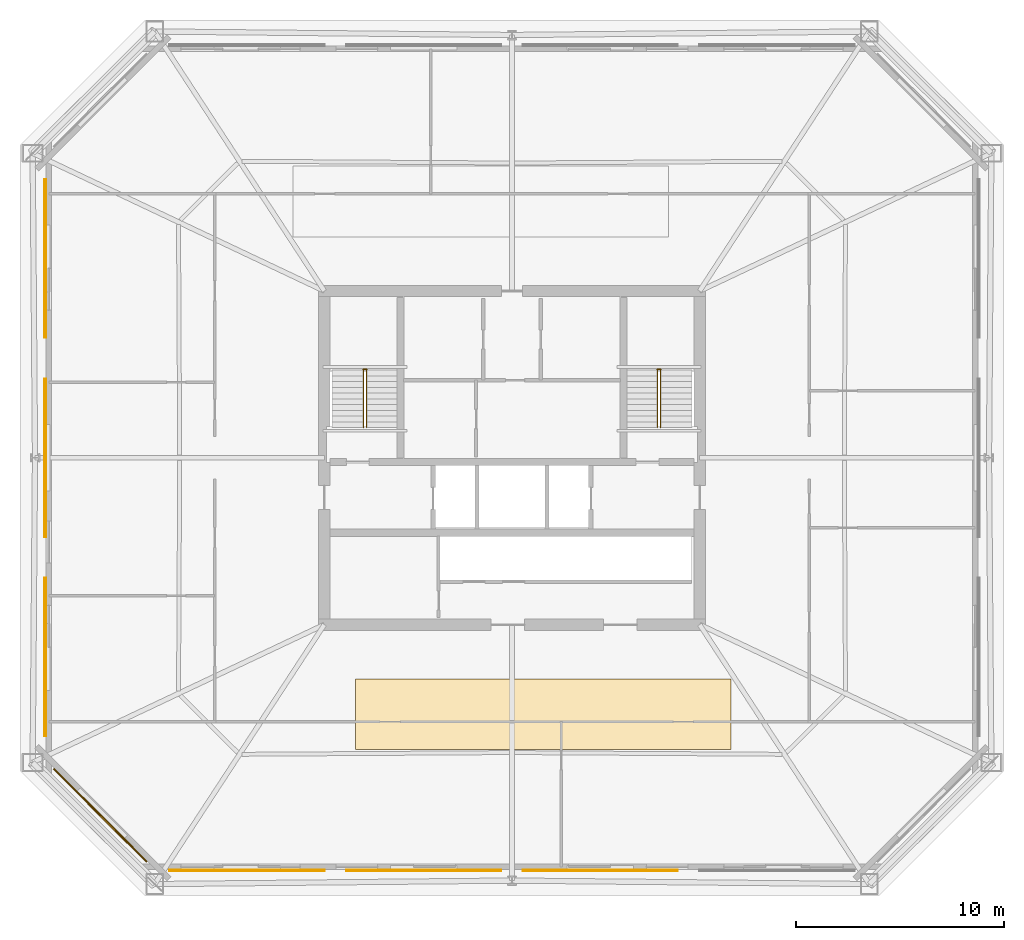
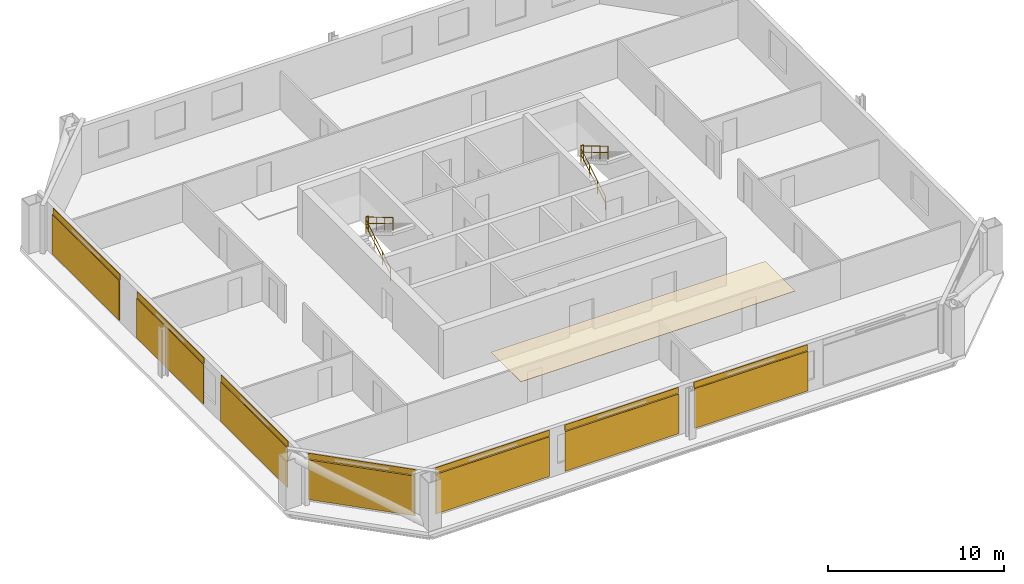
# One storey, part 5 of 6: 8 coverings, 7 shading devices, 6 railings.
"""IFC4 building model written with IfcOpenShell, lengths in metres."""

from ifc_helpers import new_model, si_unit, direction, frame, origin, origin_2d, place, context, subcontext, project, spatial, polyline, rectangle, circle, outline, extrude, material, layer, layer_set, type_object, element, save


model = new_model("IFC4")

# Units and contexts
model_context = context("Model", 3, precision=1e-05, world=origin(), true_north=direction((0.0, 1.0)))
body_context = subcontext(model_context, "Body", "Model", "MODEL_VIEW")
ifc_project = project(units=[si_unit("LENGTHUNIT", "METRE"), si_unit("AREAUNIT", "SQUARE_METRE"), si_unit("VOLUMEUNIT", "CUBIC_METRE"), si_unit("PLANEANGLEUNIT", "RADIAN"), si_unit("MASSUNIT", "GRAM", prefix="KILO")], contexts=[model_context])

# Site, building, storey
site_placement = place(None, origin())
site = spatial("IfcSite", under=ifc_project, at=site_placement, CompositionType="ELEMENT")
building_placement = place(site_placement, origin())
building = spatial("IfcBuilding", under=site, at=building_placement, Name="Caelvoria Tower", CompositionType="ELEMENT")
storey_placement = place(building_placement, frame((0.0, 0.0, 120.39990234375)))
storey = spatial("IfcBuildingStorey", under=building, at=storey_placement, Name="L31", CompositionType="ELEMENT", Elevation=120.39990234375)

# Coverings
ifc_material_1 = material(Name="Acoustic Mineral Fibre Tile", Category="gypsum")
ifc_layer_1 = layer(ifc_material_1, 0.02490234375, Name="Acoustic Mineral Fibre Tile")
ifc_layer_set_1 = layer_set([ifc_layer_1], Name="Mineral-Fibre Acoustic Suspended Ceiling 25 - Acoustic Mineral Fibre Tile")
covering_type_1 = type_object("IfcCoveringType", Name="Mineral-Fibre Acoustic Suspended Ceiling 25", PredefinedType="CEILING", material=ifc_layer_set_1)
covering_1_placement = place(storey_placement, frame((0.0, 0.0, 2.635009765625)))
element("IfcCovering", 1, at=covering_1_placement, inside=storey, type_object=covering_type_1, Name="Suspended Acoustic Ceiling L31", PredefinedType="CEILING", context=body_context, shape_type="SweptSolid", body=[
    extrude(outline(polyline([(38.5, 18.0), (56.5, 18.0), (56.5, 21.39990234375), (38.5, 21.39990234375), (38.5, 18.0)])), origin(), (0.0, 0.0, 1.0), 0.025146484375),
])
ifc_material_2 = material(Name="Perforated Architectural Bronze Cladding Screen", Category="bronze")
ifc_layer_2 = layer(ifc_material_2, 0.0400390625, Name="Perforated Architectural Bronze Cladding Screen")
ifc_layer_set_2 = layer_set([ifc_layer_2], Name="Perforated Bronze Louvre Cladding Band 40 - Perforated Architectural Bronze Cladding Screen")
covering_type_2 = type_object("IfcCoveringType", Name="Perforated Bronze Louvre Cladding Band 40", PredefinedType="CLADDING", material=ifc_layer_set_2)
for number, where, z_axis, x_axis, name in (
    (2, (33.294921875, 12.22802734375, 2.940185546875), (0.0, 0.0, 1.0), (1.0, 0.0, 0.0), "Perforated Bronze Screen Band L31-E0-00"),
    (3, (41.764892578125, 12.22802734375, 2.940185546875), (0.0, 0.0, 1.0), (1.0, 0.0, 0.0), "Perforated Bronze Screen Band L31-E0-01"),
    (4, (50.235107421875, 12.22802734375, 2.940185546875), (0.0, 0.0, 1.0), (1.0, 0.0, 0.0), "Perforated Bronze Screen Band L31-E0-02"),
):
    element("IfcCovering", number, at=place(storey_placement, frame(where, z_axis=z_axis, x_axis=x_axis)), inside=storey, type_object=covering_type_2, Name=name, PredefinedType="CLADDING", context=body_context, shape_type="SweptSolid", body=[
        extrude(rectangle(XDim=7.45361328125, YDim=0.0400390625, at=origin_2d()), origin(), (0.0, 0.0, 1.0), 0.39990234375),
    ])
for number, where, z_axis, x_axis, name in (
    (5, (23.6279296875, 41.56005859375, 2.940185546875), (0.0, 0.0, 1.0), (0.0, -1.0, 0.0), "Perforated Bronze Screen Band L31-E6-00"),
    (6, (23.6279296875, 32.0, 2.940185546875), (0.0, 0.0, 1.0), (0.0, -1.0, 0.0), "Perforated Bronze Screen Band L31-E6-01"),
    (7, (23.6279296875, 22.43994140625, 2.940185546875), (0.0, 0.0, 1.0), (0.0, -1.0, 0.0), "Perforated Bronze Screen Band L31-E6-02"),
):
    element("IfcCovering", number, at=place(storey_placement, frame(where, z_axis=z_axis, x_axis=x_axis)), inside=storey, type_object=covering_type_2, Name=name, PredefinedType="CLADDING", context=body_context, shape_type="SweptSolid", body=[
        extrude(rectangle(XDim=7.60009765625, YDim=0.0400390625, at=origin_2d()), origin(), (0.0, 0.0, 1.0), 0.39990234375),
    ])
covering_2_placement = place(storey_placement, frame((26.268310546875, 14.868408203125, 2.940185546875), z_axis=(0.0, 0.0, 1.0), x_axis=(0.707106781187, -0.707106781187, 0.0)))
element("IfcCovering", 8, at=covering_2_placement, inside=storey, type_object=covering_type_2, Name="Perforated Bronze Screen Band L31-E7-00", PredefinedType="CLADDING", context=body_context, shape_type="SweptSolid", body=[
    extrude(rectangle(XDim=6.305419921875, YDim=0.0400390625, at=origin_2d()), origin(), (0.0, 0.0, 1.0), 0.39990234375),
])

# Shading devices
ifc_material_3 = material(Name="Perforated Architectural Bronze Alloy Panel", Category="bronze")
ifc_layer_3 = layer(ifc_material_3, 0.044921875, Name="Perforated Architectural Bronze Alloy Panel")
ifc_layer_set_3 = layer_set([ifc_layer_3], Name="Perforated Bronze Solar Screen Panel SCREEN - Perforated Architectural Bronze Alloy Panel")
shading_device_type = type_object("IfcShadingDeviceType", Name="Perforated Bronze Solar Screen Panel SCREEN", PredefinedType="USERDEFINED", material=ifc_layer_set_3)
for number, where, z_axis, x_axis, name in (
    (9, (33.294921875, 12.18505859375, 0.16015625), (0.0, 0.0, 1.0), (1.0, 0.0, 0.0), "Perforated Bronze Solar Screen L31-E0-00"),
    (10, (41.764892578125, 12.18505859375, 0.16015625), (0.0, 0.0, 1.0), (1.0, 0.0, 0.0), "Perforated Bronze Solar Screen L31-E0-01"),
    (11, (50.235107421875, 12.18505859375, 0.16015625), (0.0, 0.0, 1.0), (1.0, 0.0, 0.0), "Perforated Bronze Solar Screen L31-E0-02"),
):
    element("IfcShadingDevice", number, at=place(storey_placement, frame(where, z_axis=z_axis, x_axis=x_axis)), inside=storey, type_object=shading_device_type, Name=name, ObjectType="SCREEN", PredefinedType="USERDEFINED", context=body_context, shape_type="SweptSolid", body=[
        extrude(rectangle(XDim=7.45361328125, YDim=0.044921875, at=origin_2d()), origin(), (0.0, 0.0, 1.0), 2.75),
    ])
for number, where, z_axis, x_axis, name in (
    (12, (23.5849609375, 41.56005859375, 0.16015625), (0.0, 0.0, 1.0), (0.0, -1.0, 0.0), "Perforated Bronze Solar Screen L31-E6-00"),
    (13, (23.5849609375, 32.0, 0.16015625), (0.0, 0.0, 1.0), (0.0, -1.0, 0.0), "Perforated Bronze Solar Screen L31-E6-01"),
    (14, (23.5849609375, 22.43994140625, 0.16015625), (0.0, 0.0, 1.0), (0.0, -1.0, 0.0), "Perforated Bronze Solar Screen L31-E6-02"),
):
    element("IfcShadingDevice", number, at=place(storey_placement, frame(where, z_axis=z_axis, x_axis=x_axis)), inside=storey, type_object=shading_device_type, Name=name, ObjectType="SCREEN", PredefinedType="USERDEFINED", context=body_context, shape_type="SweptSolid", body=[
        extrude(rectangle(XDim=7.60009765625, YDim=0.044921875, at=origin_2d()), origin(), (0.0, 0.0, 1.0), 2.75),
    ])
shading_device_placement = place(storey_placement, frame((26.23779296875, 14.837890625, 0.16015625), z_axis=(0.0, 0.0, 1.0), x_axis=(0.707106781187, -0.707106781187, 0.0)))
element("IfcShadingDevice", 15, at=shading_device_placement, inside=storey, type_object=shading_device_type, Name="Perforated Bronze Solar Screen L31-E7-00", ObjectType="SCREEN", PredefinedType="USERDEFINED", context=body_context, shape_type="SweptSolid", body=[
    extrude(rectangle(XDim=6.305419921875, YDim=0.044921875, at=origin_2d()), origin(), (0.0, 0.0, 1.0), 2.75),
])

# Railings
ifc_material_4 = material(Name="Brushed Stainless Steel Tube", Category="steel")
railing_type_1 = type_object("IfcRailingType", Name="Stair Tubular Stainless Handrail 920", PredefinedType="HANDRAIL", material=ifc_material_4)
railing_1_placement = place(storey_placement, frame((38.8701171875, 33.449951171875, 0.163818359375)))
element("IfcRailing", 16, at=railing_1_placement, inside=storey, type_object=railing_type_1, Name="ST-01 Flight 1 Handrail L31", PredefinedType="HANDRAIL", context=body_context, shape_type="SweptSolid", body=[
    extrude(circle(Radius=0.02392578125, at=origin_2d()), frame((0.0, 0.0, 0.89599609375), z_axis=(0.0, 0.859385484447, 0.511328259656), x_axis=(-1.0, 0.0, 0.0)), (0.0, 0.0, 1.0), 3.199951171875),
    extrude(circle(Radius=0.02392578125, at=origin_2d()), frame((0.0, 0.0, 0.4599609375), z_axis=(0.0, 0.859385484447, 0.511328259656), x_axis=(-1.0, 0.0, 0.0)), (0.0, 0.0, 1.0), 3.199951171875),
    extrude(circle(Radius=0.02099609375, at=origin_2d()), origin(), (0.0, 0.0, 1.0), 0.871826171875),
    extrude(circle(Radius=0.02099609375, at=origin_2d()), frame((0.0, 0.916748046875, 0.54541015625)), (0.0, 0.0, 1.0), 0.871826171875),
    extrude(circle(Radius=0.02099609375, at=origin_2d()), frame((0.0, 1.833251953125, 1.0908203125)), (0.0, 0.0, 1.0), 0.871826171875),
    extrude(circle(Radius=0.02099609375, at=origin_2d()), frame((0.0, 2.75, 1.63623046875)), (0.0, 0.0, 1.0), 0.871826171875),
])
railing_2_placement = place(storey_placement, frame((39.030029296875, 36.199951171875, 1.963623046875)))
element("IfcRailing", 17, at=railing_2_placement, inside=storey, type_object=railing_type_1, Name="ST-01 Flight 2 Handrail L31", PredefinedType="HANDRAIL", context=body_context, shape_type="SweptSolid", body=[
    extrude(circle(Radius=0.02392578125, at=origin_2d()), frame((0.0, 0.0, 0.89599609375), z_axis=(0.0, -0.859351957796, 0.511384603436), x_axis=(1.0, 0.0, 0.0)), (0.0, 0.0, 1.0), 3.2001953125),
    extrude(circle(Radius=0.02392578125, at=origin_2d()), frame((0.0, 0.0, 0.4599609375), z_axis=(0.0, -0.859351957796, 0.511384603436), x_axis=(1.0, 0.0, 0.0)), (0.0, 0.0, 1.0), 3.2001953125),
    extrude(circle(Radius=0.02099609375, at=origin_2d()), origin(), (0.0, 0.0, 1.0), 0.871826171875),
    extrude(circle(Radius=0.02099609375, at=origin_2d()), frame((0.0, -0.916748046875, 0.54541015625)), (0.0, 0.0, 1.0), 0.871826171875),
    extrude(circle(Radius=0.02099609375, at=origin_2d()), frame((0.0, -1.833251953125, 1.091064453125)), (0.0, 0.0, 1.0), 0.871826171875),
    extrude(circle(Radius=0.02099609375, at=origin_2d()), frame((0.0, -2.75, 1.636474609375)), (0.0, 0.0, 1.0), 0.871826171875),
])
railing_3_placement = place(storey_placement, frame((52.969970703125, 33.449951171875, 0.163818359375)))
element("IfcRailing", 18, at=railing_3_placement, inside=storey, type_object=railing_type_1, Name="ST-02 Flight 1 Handrail L31", PredefinedType="HANDRAIL", context=body_context, shape_type="SweptSolid", body=[
    extrude(circle(Radius=0.02392578125, at=origin_2d()), frame((0.0, 0.0, 0.89599609375), z_axis=(0.0, 0.859385484447, 0.511328259656), x_axis=(-1.0, 0.0, 0.0)), (0.0, 0.0, 1.0), 3.199951171875),
    extrude(circle(Radius=0.02392578125, at=origin_2d()), frame((0.0, 0.0, 0.4599609375), z_axis=(0.0, 0.859385484447, 0.511328259656), x_axis=(-1.0, 0.0, 0.0)), (0.0, 0.0, 1.0), 3.199951171875),
    extrude(circle(Radius=0.02099609375, at=origin_2d()), origin(), (0.0, 0.0, 1.0), 0.871826171875),
    extrude(circle(Radius=0.02099609375, at=origin_2d()), frame((0.0, 0.916748046875, 0.54541015625)), (0.0, 0.0, 1.0), 0.871826171875),
    extrude(circle(Radius=0.02099609375, at=origin_2d()), frame((0.0, 1.833251953125, 1.0908203125)), (0.0, 0.0, 1.0), 0.871826171875),
    extrude(circle(Radius=0.02099609375, at=origin_2d()), frame((0.0, 2.75, 1.63623046875)), (0.0, 0.0, 1.0), 0.871826171875),
])
railing_4_placement = place(storey_placement, frame((53.1298828125, 36.199951171875, 1.963623046875)))
element("IfcRailing", 19, at=railing_4_placement, inside=storey, type_object=railing_type_1, Name="ST-02 Flight 2 Handrail L31", PredefinedType="HANDRAIL", context=body_context, shape_type="SweptSolid", body=[
    extrude(circle(Radius=0.02392578125, at=origin_2d()), frame((0.0, 0.0, 0.89599609375), z_axis=(0.0, -0.859351957796, 0.511384603436), x_axis=(1.0, 0.0, 0.0)), (0.0, 0.0, 1.0), 3.2001953125),
    extrude(circle(Radius=0.02392578125, at=origin_2d()), frame((0.0, 0.0, 0.4599609375), z_axis=(0.0, -0.859351957796, 0.511384603436), x_axis=(1.0, 0.0, 0.0)), (0.0, 0.0, 1.0), 3.2001953125),
    extrude(circle(Radius=0.02099609375, at=origin_2d()), origin(), (0.0, 0.0, 1.0), 0.871826171875),
    extrude(circle(Radius=0.02099609375, at=origin_2d()), frame((0.0, -0.916748046875, 0.54541015625)), (0.0, 0.0, 1.0), 0.871826171875),
    extrude(circle(Radius=0.02099609375, at=origin_2d()), frame((0.0, -1.833251953125, 1.091064453125)), (0.0, 0.0, 1.0), 0.871826171875),
    extrude(circle(Radius=0.02099609375, at=origin_2d()), frame((0.0, -2.75, 1.636474609375)), (0.0, 0.0, 1.0), 0.871826171875),
])
ifc_material_5 = material(Name="Brushed Stainless Steel Guardrail", Category="steel")
railing_type_2 = type_object("IfcRailingType", Name="Stair Well and Ramp Guardrail 1120", PredefinedType="GUARDRAIL", material=ifc_material_5)
for number, where, name in (
    (20, (38.8701171875, 36.239990234375, 1.800048828125), "ST-01 Half-Landing Well Guard L31"),
    (21, (52.969970703125, 36.239990234375, 1.800048828125), "ST-02 Half-Landing Well Guard L31"),
):
    element("IfcRailing", number, at=place(storey_placement, frame(where)), inside=storey, type_object=railing_type_2, Name=name, PredefinedType="GUARDRAIL", context=body_context, shape_type="SweptSolid", body=[
        extrude(circle(Radius=0.02392578125, at=origin_2d()), frame((0.0, 0.0, 1.09619140625), z_axis=(1.0, 0.0, 0.0), x_axis=(0.0, 1.0, 0.0)), (0.0, 0.0, 1.0), 0.159912109375),
        extrude(circle(Radius=0.02392578125, at=origin_2d()), frame((0.0, 0.0, 0.56005859375), z_axis=(1.0, 0.0, 0.0), x_axis=(0.0, 1.0, 0.0)), (0.0, 0.0, 1.0), 0.159912109375),
        extrude(circle(Radius=0.02099609375, at=origin_2d()), origin(), (0.0, 0.0, 1.0), 1.072021484375),
        extrude(circle(Radius=0.02099609375, at=origin_2d()), frame((0.159912109375, 0.0, 0.0)), (0.0, 0.0, 1.0), 1.072021484375),
    ])

save(model, "model.ifc")
